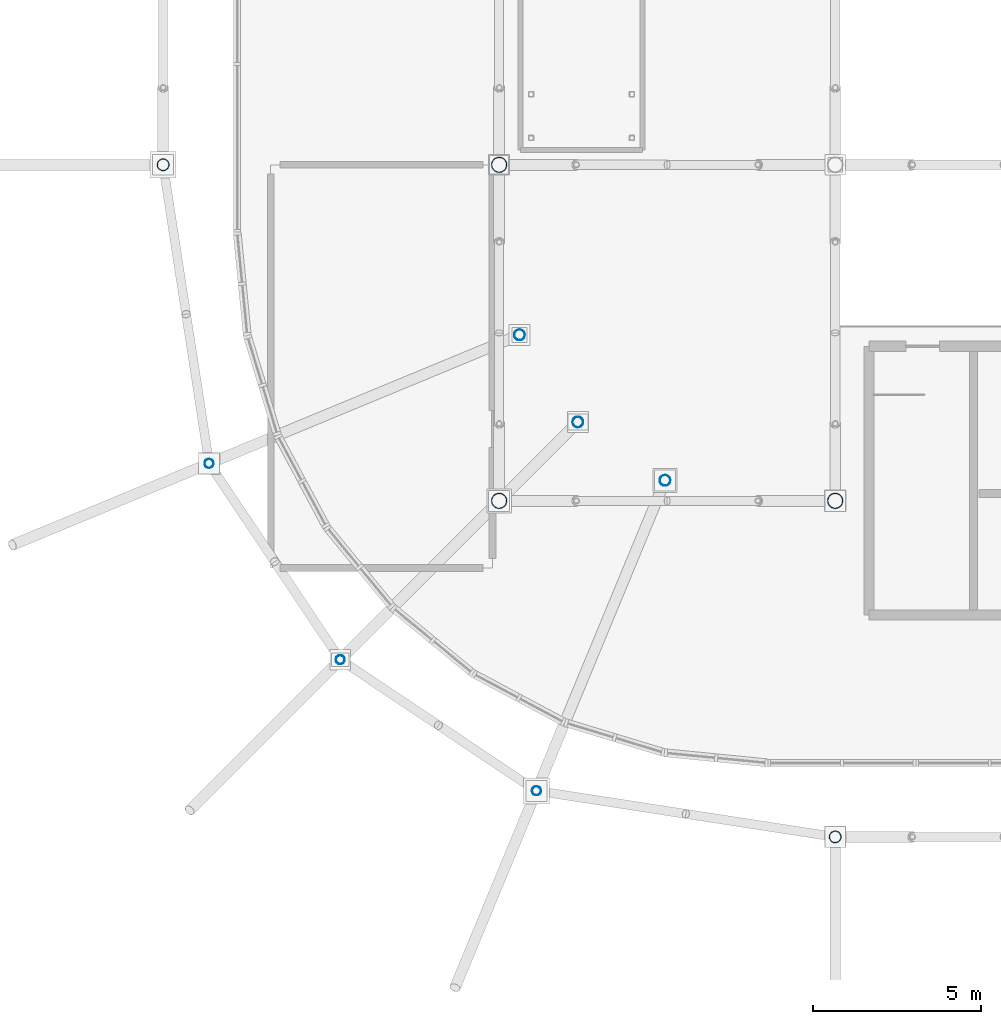
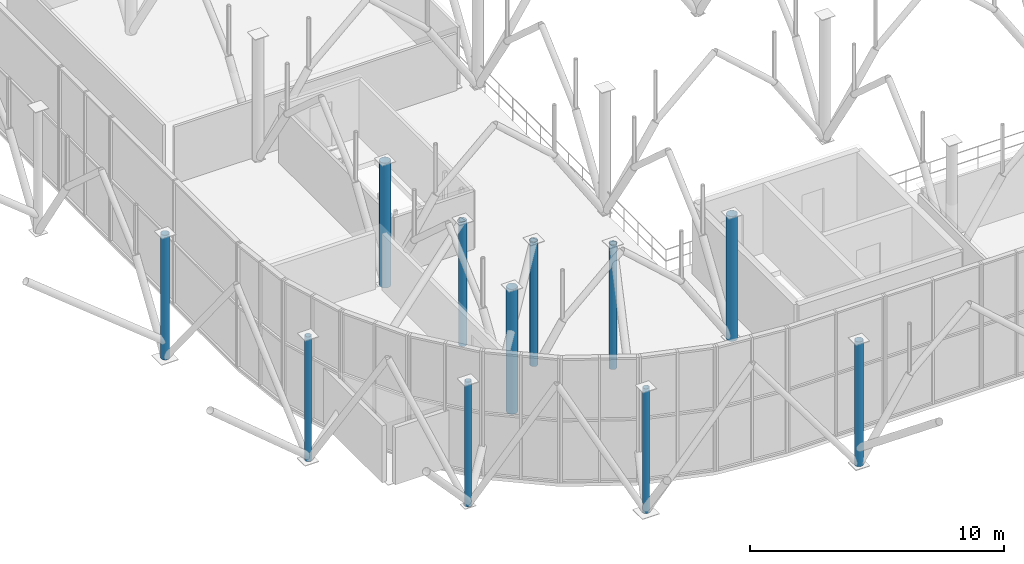
# One storey, part 1 of 109: 11 columns.
"""IFC4 building model written with IfcOpenShell, lengths in metres."""

from ifc_helpers import new_model, si_unit, derived_unit, direction, frame, origin, origin_2d_with_axis, place, context, subcontext, project, spatial, hollow_circle, extrude, material, material_profile, profile_set, type_object, element, save


model = new_model("IFC4")

# Units and contexts
model_context = context("Model", 3, precision=1e-05, world=origin(), true_north=direction((0.0, 1.0)))
body_context = subcontext(model_context, "Body", "Model", "MODEL_VIEW")
ifc_project = project(units=[si_unit("LENGTHUNIT", "METRE"), si_unit("AREAUNIT", "SQUARE_METRE"), si_unit("VOLUMEUNIT", "CUBIC_METRE"), si_unit("PLANEANGLEUNIT", "RADIAN"), si_unit("MASSUNIT", "GRAM", prefix="KILO"), derived_unit("THERMALTRANSMITTANCEUNIT", [(si_unit("POWERUNIT", "WATT"), 1), (si_unit("LENGTHUNIT", "METRE"), -2), (si_unit("THERMODYNAMICTEMPERATUREUNIT", "KELVIN"), -1)])], contexts=[model_context])

# Site, building, storey
site_placement = place(None, origin())
site = spatial("IfcSite", under=ifc_project, at=site_placement, CompositionType="ELEMENT")
building_placement = place(site_placement, origin())
building = spatial("IfcBuilding", under=site, at=building_placement, Name="Cinnabar Yard Market Hall", CompositionType="ELEMENT")
storey_placement = place(building_placement, frame((0.0, 0.0, 8.39990234375)))
storey = spatial("IfcBuildingStorey", under=building, at=storey_placement, Name="L02", CompositionType="ELEMENT", Elevation=8.39990234375)

# Columns
ifc_material = material(Name="Spotted-gum glulam-clad steel Grade 350 (350 MPa)", Category="steel")
ifc_material_profile_1 = material_profile(ifc_material, hollow_circle(Radius=0.228515625, WallThickness=0.0126953125, at=origin_2d_with_axis()), Name="457.0x12.7CHS")
ifc_profile_set_1 = profile_set([ifc_material_profile_1], Name="Spotted-gum glulam-clad steel Grade 350 (350 MPa)")
column_type_1 = type_object("IfcColumnType", Name="COL-C01", PredefinedType="COLUMN", material=ifc_profile_set_1)
for number, where, z_axis, x_axis, name in (
    (1, (76.0, 24.0, 0.0), (0.0, 0.0, 1.0), (1.0, 0.0, 0.0), "Tree Column V1I-01-01 L02"),
    (2, (76.0, 34.0, 0.0), (0.0, 0.0, 1.0), (1.0, 0.0, 0.0), "Tree Column V1I-01-02 L02"),
    (3, (86.0, 24.0, 0.0), (0.0, 0.0, 1.0), (1.0, 0.0, 0.0), "Tree Column V1I-02-01 L02"),
):
    element("IfcColumn", number, at=place(storey_placement, frame(where, z_axis=z_axis, x_axis=x_axis)), inside=storey, type_object=column_type_1, Name=name, PredefinedType="COLUMN", context=body_context, shape_type="SweptSolid", body=[
        extrude(hollow_circle(Radius=0.228515625, WallThickness=0.0126953125, at=origin_2d_with_axis()), origin(), (0.0, 0.0, 1.0), 6.0),
    ])
ifc_material_profile_2 = material_profile(ifc_material, hollow_circle(Radius=0.177734375, WallThickness=0.0126953125, at=origin_2d_with_axis()), Name="355.6x12.7CHS")
ifc_profile_set_2 = profile_set([ifc_material_profile_2], Name="Spotted-gum glulam-clad steel Grade 350 (350 MPa)")
column_type_2 = type_object("IfcColumnType", Name="COL-C02E", PredefinedType="COLUMN", material=ifc_profile_set_2)
for number, where, z_axis, x_axis, name in (
    (4, (86.0, 14.0, 0.0), (0.0, 0.0, 1.0), (1.0, 0.0, 0.0), "Tree Column V1S-01 L02"),
    (5, (66.0, 34.0, 0.0), (0.0, 0.0, 1.0), (1.0, 0.0, 0.0), "Tree Column V1W-01 L02"),
):
    element("IfcColumn", number, at=place(storey_placement, frame(where, z_axis=z_axis, x_axis=x_axis)), inside=storey, type_object=column_type_2, Name=name, PredefinedType="COLUMN", context=body_context, shape_type="SweptSolid", body=[
        extrude(hollow_circle(Radius=0.177734375, WallThickness=0.0126953125, at=origin_2d_with_axis()), origin(), (0.0, 0.0, 1.0), 6.0),
    ])
ifc_material_profile_3 = material_profile(ifc_material, hollow_circle(Radius=0.161865234375, WallThickness=0.009521484375, at=origin_2d_with_axis()), Name="323.9x9.5CHS")
ifc_profile_set_3 = profile_set([ifc_material_profile_3], Name="Spotted-gum glulam-clad steel Grade 350 (350 MPa)")
column_type_3 = type_object("IfcColumnType", Name="COL-C03", PredefinedType="COLUMN", material=ifc_profile_set_3)
for number, where, z_axis, x_axis, name in (
    (6, (76.60888671875, 28.9384765625, 0.0), (0.0, 0.0, 1.0), (1.0, 0.0, 0.0), "Tree Column V1IC-SW2 L02"),
    (7, (78.343017578125, 26.343017578125, 0.0), (0.0, 0.0, 1.0), (1.0, 0.0, 0.0), "Tree Column V1IC-SW4 L02"),
    (8, (80.9384765625, 24.60888671875, 0.0), (0.0, 0.0, 1.0), (1.0, 0.0, 0.0), "Tree Column V1IC-SW6 L02"),
):
    element("IfcColumn", number, at=place(storey_placement, frame(where, z_axis=z_axis, x_axis=x_axis)), inside=storey, type_object=column_type_3, Name=name, PredefinedType="COLUMN", context=body_context, shape_type="SweptSolid", body=[
        extrude(hollow_circle(Radius=0.161865234375, WallThickness=0.009521484375, at=origin_2d_with_axis()), origin(), (0.0, 0.0, 1.0), 6.0),
    ])
ifc_material_profile_4 = material_profile(ifc_material, hollow_circle(Radius=0.136474609375, WallThickness=0.00927734375, at=origin_2d_with_axis()), Name="273.1x9.3CHS")
ifc_profile_set_4 = profile_set([ifc_material_profile_4], Name="Spotted-gum glulam-clad steel Grade 350 (350 MPa)")
column_type_4 = type_object("IfcColumnType", Name="COL-C04E", PredefinedType="COLUMN", material=ifc_profile_set_4)
for number, where, z_axis, x_axis, name in (
    (9, (67.3701171875, 25.11181640625, 0.0), (0.0, 0.0, 1.0), (1.0, 0.0, 0.0), "Tree Column V1C-SW2 L02"),
    (10, (71.272216796875, 19.272216796875, 0.0), (0.0, 0.0, 1.0), (1.0, 0.0, 0.0), "Tree Column V1C-SW4 L02"),
    (11, (77.11181640625, 15.3701171875, 0.0), (0.0, 0.0, 1.0), (1.0, 0.0, 0.0), "Tree Column V1C-SW6 L02"),
):
    element("IfcColumn", number, at=place(storey_placement, frame(where, z_axis=z_axis, x_axis=x_axis)), inside=storey, type_object=column_type_4, Name=name, PredefinedType="COLUMN", context=body_context, shape_type="SweptSolid", body=[
        extrude(hollow_circle(Radius=0.136474609375, WallThickness=0.00927734375, at=origin_2d_with_axis()), origin(), (0.0, 0.0, 1.0), 6.0),
    ])

save(model, "model.ifc")
